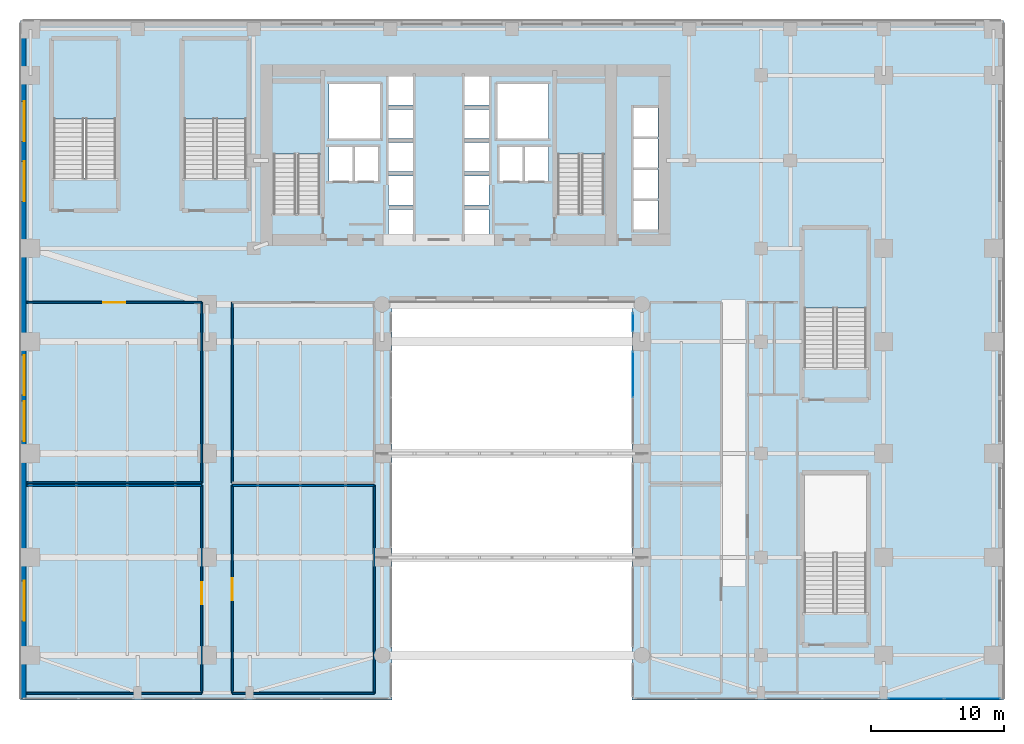
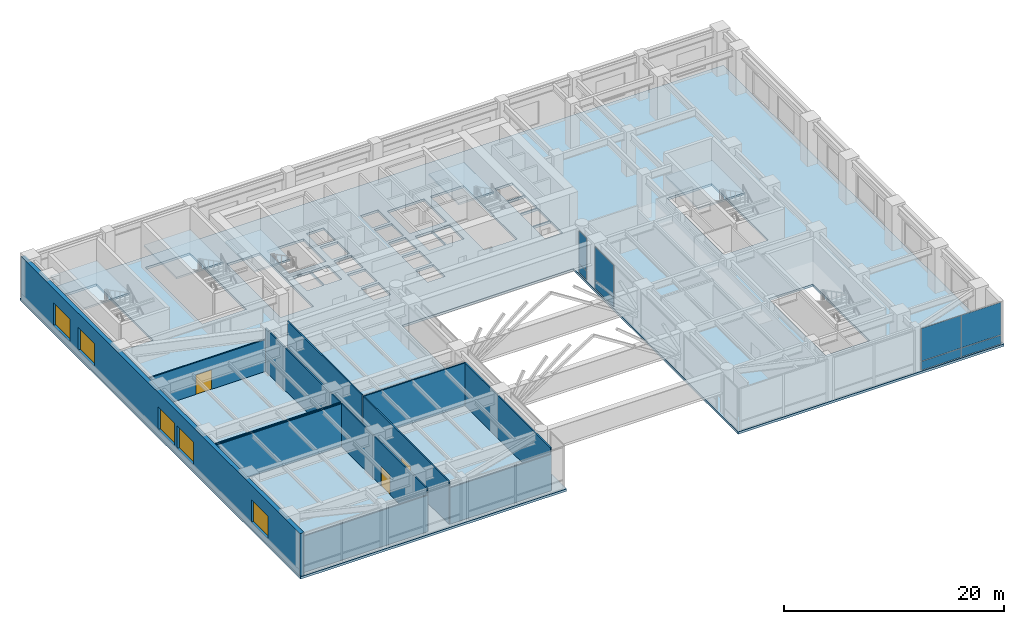
# One storey, part 27 of 39: 12 walls, 8 plates, 6 slabs, 5 windows, 3 doors, 8 openings, 8 elements without a shape of their own.
"""IFC4 building model written with IfcOpenShell, lengths in metres."""

from ifc_helpers import new_model, si_unit, direction, frame, frame_2d, origin, origin_2d, place, context, subcontext, project, spatial, polyline, rectangle, outline, extrude, source, transform, mapped, material, layer, layer_set, type_object, type_shapes, element, fill, aggregate, save


model = new_model("IFC4")

# Units and contexts
model_context = context("Model", 3, precision=1e-05, world=origin(), true_north=direction((0.0, 1.0)))
body_context = subcontext(model_context, "Body", "Model", "MODEL_VIEW")
ifc_project = project(units=[si_unit("LENGTHUNIT", "METRE"), si_unit("AREAUNIT", "SQUARE_METRE"), si_unit("VOLUMEUNIT", "CUBIC_METRE"), si_unit("PLANEANGLEUNIT", "RADIAN"), si_unit("MASSUNIT", "GRAM", prefix="KILO")], contexts=[model_context])

# Site, building, storey
site_placement = place(None, origin())
site = spatial("IfcSite", under=ifc_project, at=site_placement, CompositionType="ELEMENT")
building_placement = place(site_placement, origin())
building = spatial("IfcBuilding", under=site, at=building_placement, Name="Tolvann Quenvar Hotel", CompositionType="ELEMENT")
storey_placement = place(building_placement, frame((0.0, 0.0, 11.0)))
storey = spatial("IfcBuildingStorey", under=building, at=storey_placement, Name="L02", CompositionType="ELEMENT", Elevation=11.0)

# Stair, slab
ifc_material_1 = material(Name="Concrete N40 (40 MPa)", Category="concrete")
stair_type = type_object("IfcStairType", Name="STAIR", PredefinedType="HALF_TURN_STAIR", material=ifc_material_1)
stair_1_placement = place(storey_placement, origin())
stair_1 = element("IfcStair", 1, at=stair_1_placement, inside=storey, type_object=stair_type, Name="L02 ST-C1", PredefinedType="HALF_TURN_STAIR")
ifc_layer_1 = layer(ifc_material_1, 0.199951171875)
ifc_layer_set_1 = layer_set([ifc_layer_1], Name="Concrete N40 (40 MPa)")
slab_type_1 = type_object("IfcSlabType", Name="SLAB_LANDING", PredefinedType="LANDING", material=ifc_layer_set_1)
slab_1_placement = place(storey_placement, frame((0.0, 0.0, 2.300048828125)))
slab_1 = element("IfcSlab", 2, at=slab_1_placement, type_object=slab_type_1, Name="ST-C1 landing 1", PredefinedType="LANDING", context=body_context, shape_type="SweptSolid", body=[
    extrude(outline(polyline([(14.179931640625, 38.485107421875), (14.179931640625, 43.8798828125), (10.469970703125, 43.8798828125), (10.469970703125, 38.485107421875), (14.179931640625, 38.485107421875)])), origin(), (0.0, 0.0, 1.0), 0.199951171875),
])
aggregate(stair_1, [slab_1])

stair_2_placement = place(storey_placement, origin())
stair_2 = element("IfcStair", 3, at=stair_2_placement, inside=storey, type_object=stair_type, Name="L02 ST-C2", PredefinedType="HALF_TURN_STAIR")
slab_2_placement = place(storey_placement, frame((0.0, 0.0, 2.300048828125)))
slab_2 = element("IfcSlab", 4, at=slab_2_placement, type_object=slab_type_1, Name="ST-C2 landing 1", PredefinedType="LANDING", context=body_context, shape_type="SweptSolid", body=[
    extrude(outline(polyline([(35.530029296875, 38.485107421875), (35.530029296875, 43.8798828125), (31.820068359375, 43.8798828125), (31.820068359375, 38.485107421875), (35.530029296875, 38.485107421875)])), origin(), (0.0, 0.0, 1.0), 0.199951171875),
])
aggregate(stair_2, [slab_2])

stair_3_placement = place(storey_placement, origin())
stair_3 = element("IfcStair", 5, at=stair_3_placement, inside=storey, type_object=stair_type, Name="L02 ST-P1", PredefinedType="HALF_TURN_STAIR")
slab_3_placement = place(storey_placement, frame((0.0, 0.0, 2.300048828125)))
slab_3 = element("IfcSlab", 6, at=slab_3_placement, type_object=slab_type_1, Name="ST-P1 landing 1", PredefinedType="LANDING", context=body_context, shape_type="SweptSolid", body=[
    extrude(outline(polyline([(-1.1201171875, 41.135009765625), (-1.1201171875, 47.080078125), (-6.030029296875, 47.080078125), (-6.030029296875, 41.135009765625), (-1.1201171875, 41.135009765625)])), origin(), (0.0, 0.0, 1.0), 0.199951171875),
])
aggregate(stair_3, [slab_3])

stair_4_placement = place(storey_placement, origin())
stair_4 = element("IfcStair", 7, at=stair_4_placement, inside=storey, type_object=stair_type, Name="L02 ST-P2", PredefinedType="HALF_TURN_STAIR")
slab_4_placement = place(storey_placement, frame((0.0, 0.0, 2.300048828125)))
slab_4 = element("IfcSlab", 8, at=slab_4_placement, type_object=slab_type_1, Name="ST-P2 landing 1", PredefinedType="LANDING", context=body_context, shape_type="SweptSolid", body=[
    extrude(outline(polyline([(8.679931640625, 41.135009765625), (8.679931640625, 47.080078125), (3.77001953125, 47.080078125), (3.77001953125, 41.135009765625), (8.679931640625, 41.135009765625)])), origin(), (0.0, 0.0, 1.0), 0.199951171875),
])
aggregate(stair_4, [slab_4])

stair_5_placement = place(storey_placement, origin())
stair_5 = element("IfcStair", 9, at=stair_5_placement, inside=storey, type_object=stair_type, Name="L02 ST-P4", PredefinedType="HALF_TURN_STAIR")
slab_5_placement = place(storey_placement, frame((0.0, 0.0, 2.300048828125)))
slab_5 = element("IfcSlab", 10, at=slab_5_placement, type_object=slab_type_1, Name="ST-P4 landing 1", PredefinedType="LANDING", context=body_context, shape_type="SweptSolid", body=[
    extrude(outline(polyline([(55.22998046875, 26.93505859375), (55.22998046875, 32.8798828125), (50.320068359375, 32.8798828125), (50.320068359375, 26.93505859375), (55.22998046875, 26.93505859375)])), origin(), (0.0, 0.0, 1.0), 0.199951171875),
])
aggregate(stair_5, [slab_5])

# Slab
ifc_material_2 = material(Name="Concrete N50 (50 MPa)", Category="concrete")
ifc_layer_2 = layer(ifc_material_2, 0.260009765625)
ifc_layer_set_2 = layer_set([ifc_layer_2], Name="Concrete N50 (50 MPa)")
slab_type_2 = type_object("IfcSlabType", Name="SLAB_POD_250", PredefinedType="FLOOR", material=ifc_layer_set_2)
slab_6_placement = place(storey_placement, frame((0.0, 0.0, -0.260009765625)))
element("IfcSlab", 11, at=slab_6_placement, inside=storey, type_object=slab_type_2, Name="Level L02 Structural Floor Slab", PredefinedType="FLOOR", context=body_context, shape_type="SweptSolid", body=[
    extrude(outline(polyline([(-8.39990234375, -2.5), (19.5, -2.5), (19.5, 27.39990234375), (37.5, 27.39990234375), (37.5, -2.5), (65.39990234375, -2.5), (65.39990234375, 48.5), (-8.39990234375, 48.5), (-8.39990234375, -2.5)]), holes=[polyline([(50.449951171875, 4.074951171875), (50.449951171875, 14.39990234375), (55.10009765625, 14.39990234375), (55.10009765625, 4.074951171875), (50.449951171875, 4.074951171875)]), polyline([(50.449951171875, 32.800048828125), (55.10009765625, 32.800048828125), (55.10009765625, 22.47509765625), (50.449951171875, 22.47509765625), (50.449951171875, 32.800048828125)]), polyline([(39.469970703125, 41.949951171875), (39.469970703125, 39.77001953125), (37.6298828125, 39.77001953125), (37.6298828125, 41.949951171875), (39.469970703125, 41.949951171875)]), polyline([(39.469970703125, 39.6298828125), (39.469970703125, 37.449951171875), (37.6298828125, 37.449951171875), (37.6298828125, 39.6298828125), (39.469970703125, 39.6298828125)]), polyline([(37.6298828125, 37.31005859375), (39.469970703125, 37.31005859375), (39.469970703125, 35.1298828125), (37.6298828125, 35.1298828125), (37.6298828125, 37.31005859375)]), polyline([(39.469970703125, 34.989990234375), (39.469970703125, 32.81005859375), (37.6298828125, 32.81005859375), (37.6298828125, 34.989990234375), (39.469970703125, 34.989990234375)]), polyline([(31.949951171875, 43.800048828125), (35.39990234375, 43.800048828125), (35.39990234375, 34.02490234375), (31.949951171875, 34.02490234375), (31.949951171875, 43.800048828125)]), polyline([(31.25, 39.02001953125), (31.25, 36.47998046875), (29.449951171875, 36.47998046875), (29.449951171875, 39.02001953125), (31.25, 39.02001953125)]), polyline([(31.25, 43.75), (31.25, 39.64990234375), (27.39990234375, 39.64990234375), (27.39990234375, 43.75), (31.25, 43.75)]), polyline([(29.324951171875, 39.02001953125), (29.324951171875, 36.47998046875), (27.574951171875, 36.47998046875), (27.574951171875, 39.02001953125), (29.324951171875, 39.02001953125)]), polyline([(24.929931640625, 36.840087890625), (26.77001953125, 36.840087890625), (26.77001953125, 34.659912109375), (24.929931640625, 34.659912109375), (24.929931640625, 36.840087890625)]), polyline([(26.77001953125, 44.340087890625), (26.77001953125, 42.159912109375), (24.929931640625, 42.159912109375), (24.929931640625, 44.340087890625), (26.77001953125, 44.340087890625)]), polyline([(26.77001953125, 41.840087890625), (26.77001953125, 39.659912109375), (24.929931640625, 39.659912109375), (24.929931640625, 41.840087890625), (26.77001953125, 41.840087890625)]), polyline([(24.929931640625, 39.340087890625), (26.77001953125, 39.340087890625), (26.77001953125, 37.159912109375), (24.929931640625, 37.159912109375), (24.929931640625, 39.340087890625)]), polyline([(26.77001953125, 34.340087890625), (26.77001953125, 32.159912109375), (24.929931640625, 32.159912109375), (24.929931640625, 34.340087890625), (26.77001953125, 34.340087890625)]), polyline([(21.070068359375, 44.340087890625), (21.070068359375, 42.159912109375), (19.22998046875, 42.159912109375), (19.22998046875, 44.340087890625), (21.070068359375, 44.340087890625)]), polyline([(21.070068359375, 41.840087890625), (21.070068359375, 39.659912109375), (19.22998046875, 39.659912109375), (19.22998046875, 41.840087890625), (21.070068359375, 41.840087890625)]), polyline([(19.22998046875, 39.340087890625), (21.070068359375, 39.340087890625), (21.070068359375, 37.159912109375), (19.22998046875, 37.159912109375), (19.22998046875, 39.340087890625)]), polyline([(21.070068359375, 36.840087890625), (21.070068359375, 34.659912109375), (19.22998046875, 34.659912109375), (19.22998046875, 36.840087890625), (21.070068359375, 36.840087890625)]), polyline([(19.22998046875, 34.340087890625), (21.070068359375, 34.340087890625), (21.070068359375, 32.159912109375), (19.22998046875, 32.159912109375), (19.22998046875, 34.340087890625)]), polyline([(18.60009765625, 43.75), (18.60009765625, 39.64990234375), (14.75, 39.64990234375), (14.75, 43.75), (18.60009765625, 43.75)]), polyline([(18.425048828125, 39.02001953125), (18.425048828125, 36.47998046875), (16.675048828125, 36.47998046875), (16.675048828125, 39.02001953125), (18.425048828125, 39.02001953125)]), polyline([(16.550048828125, 39.02001953125), (16.550048828125, 36.47998046875), (14.75, 36.47998046875), (14.75, 39.02001953125), (16.550048828125, 39.02001953125)]), polyline([(10.60009765625, 43.800048828125), (14.050048828125, 43.800048828125), (14.050048828125, 34.02490234375), (10.60009765625, 34.02490234375), (10.60009765625, 43.800048828125)]), polyline([(3.89990234375, 47.0), (8.550048828125, 47.0), (8.550048828125, 36.675048828125), (3.89990234375, 36.675048828125), (3.89990234375, 47.0)]), polyline([(-5.89990234375, 47.0), (-1.25, 47.0), (-1.25, 36.675048828125), (-5.89990234375, 36.675048828125), (-5.89990234375, 47.0)])]), origin(), (0.0, 0.0, 1.0), 0.260009765625),
])

# Curtain wall, plate
ifc_material_3 = material(Name="Thermally broken anodised architectural aluminium 6063-T6 and laminated low-E glass", Category="aluminium")
ifc_layer_3 = layer(ifc_material_3, 0.179931640625)
ifc_layer_set_3 = layer_set([ifc_layer_3], Name="Thermally broken anodised architectural aluminium 6063-T6 and laminated low-E glass")
curtain_wall_type_1 = type_object("IfcCurtainWallType", Name="CW_SYS_ARCH_01", PredefinedType="USERDEFINED", material=ifc_layer_set_3)
curtain_wall_1_placement = place(storey_placement, origin())
curtain_wall_1 = element("IfcCurtainWall", 12, at=curtain_wall_1_placement, inside=storey, type_object=curtain_wall_type_1, Name="Curtain Wall CW-ARCH-01 (CWR-L02-E03-S2)", ObjectType="UNITISED CURTAIN WALL", PredefinedType="USERDEFINED")
ifc_material_4 = material(Name="Low-iron laminated double glazing with solar-control coating", Category="glass")
ifc_layer_4 = layer(ifc_material_4, 0.028076171875)
ifc_layer_set_4 = layer_set([ifc_layer_4], Name="Low-iron laminated double glazing with solar-control coating")
plate_type = type_object("IfcPlateType", Name="CW_PAN_VISION_28", PredefinedType="CURTAIN_PANEL", material=ifc_layer_set_4)
shared_shape_1 = source(origin(), body_context, "Body", "SweptSolid", [
    extrude(rectangle(XDim=3.39111328125, YDim=0.028076171875, at=origin_2d()), origin(), (0.0, 0.0, 1.0), 0.9599609375),
])
plate_1_placement = place(storey_placement, frame((37.590087890625, 21.930419921875, 0.06005859375), z_axis=(0.0, 0.0, 1.0), x_axis=(0.0, -1.0, 0.0)))
plate_1 = element("IfcPlate", 13, at=plate_1_placement, type_object=plate_type, Name="CW-ARCH-01 panel 1.1", PredefinedType="CURTAIN_PANEL", context=body_context, shape_type="MappedRepresentation", body=[
    mapped(shared_shape_1, transform((0.0, 0.0, 0.0), x_axis=(1.0, 0.0, 0.0), y_axis=(0.0, 1.0, 0.0), z_axis=(0.0, 0.0, 1.0), scale=1.0)),
])

curtain_wall_2_placement = place(storey_placement, origin())
curtain_wall_2 = element("IfcCurtainWall", 14, at=curtain_wall_2_placement, inside=storey, type_object=curtain_wall_type_1, Name="Curtain Wall CW-ARCH-01 (CWR-L02-E03-S1)", ObjectType="UNITISED CURTAIN WALL", PredefinedType="USERDEFINED")
shared_shape_2 = source(origin(), body_context, "Body", "SweptSolid", [
    extrude(rectangle(XDim=1.35205078125, YDim=0.028076171875, at=origin_2d()), origin(), (0.0, 0.0, 1.0), 0.9599609375),
])
plate_2_placement = place(storey_placement, frame((37.590087890625, 25.85009765625, 0.06005859375), z_axis=(0.0, 0.0, 1.0), x_axis=(0.0, -1.0, 0.0)))
plate_2 = element("IfcPlate", 15, at=plate_2_placement, type_object=plate_type, Name="CW-ARCH-01 panel 1.1", PredefinedType="CURTAIN_PANEL", context=body_context, shape_type="MappedRepresentation", body=[
    mapped(shared_shape_2, transform((0.0, 0.0, 0.0), x_axis=(1.0, 0.0, 0.0), y_axis=(0.0, 1.0, 0.0), z_axis=(0.0, 0.0, 1.0), scale=1.0)),
])

# Plate
shared_shape_3 = source(origin(), body_context, "Body", "SweptSolid", [
    extrude(rectangle(XDim=3.39111328125, YDim=0.028076171875, at=origin_2d()), origin(), (0.0, 0.0, 1.0), 3.60009765625),
])
plate_3_placement = place(storey_placement, frame((37.590087890625, 21.930419921875, 1.079833984375), z_axis=(0.0, 0.0, 1.0), x_axis=(0.0, -1.0, 0.0)))
plate_3 = element("IfcPlate", 16, at=plate_3_placement, type_object=plate_type, Name="CW-ARCH-01 panel 1.2", PredefinedType="CURTAIN_PANEL", context=body_context, shape_type="MappedRepresentation", body=[
    mapped(shared_shape_3, transform((0.0, 0.0, 0.0), x_axis=(1.0, 0.0, 0.0), y_axis=(0.0, 1.0, 0.0), z_axis=(0.0, 0.0, 1.0), scale=1.0)),
])

aggregate(curtain_wall_1, [plate_1, plate_3])

shared_shape_4 = source(origin(), body_context, "Body", "SweptSolid", [
    extrude(rectangle(XDim=1.35205078125, YDim=0.028076171875, at=origin_2d()), origin(), (0.0, 0.0, 1.0), 3.60009765625),
])
plate_4_placement = place(storey_placement, frame((37.590087890625, 25.85009765625, 1.079833984375), z_axis=(0.0, 0.0, 1.0), x_axis=(0.0, -1.0, 0.0)))
plate_4 = element("IfcPlate", 17, at=plate_4_placement, type_object=plate_type, Name="CW-ARCH-01 panel 1.2", PredefinedType="CURTAIN_PANEL", context=body_context, shape_type="MappedRepresentation", body=[
    mapped(shared_shape_4, transform((0.0, 0.0, 0.0), x_axis=(1.0, 0.0, 0.0), y_axis=(0.0, 1.0, 0.0), z_axis=(0.0, 0.0, 1.0), scale=1.0)),
])

aggregate(curtain_wall_2, [plate_2, plate_4])

# Curtain wall, plates
ifc_layer_5 = layer(ifc_material_3, 0.179931640625)
ifc_layer_set_5 = layer_set([ifc_layer_5], Name="Thermally broken anodised architectural aluminium 6063-T6 and laminated low-E glass")
curtain_wall_type_2 = type_object("IfcCurtainWallType", Name="CW_SYS_BALL_02", PredefinedType="USERDEFINED", material=ifc_layer_set_5)
curtain_wall_3_placement = place(storey_placement, origin())
curtain_wall_3 = element("IfcCurtainWall", 18, at=curtain_wall_3_placement, inside=storey, type_object=curtain_wall_type_2, Name="Curtain Wall CW-BALL-02 (CWR-L02-E04-S3)", ObjectType="UNITISED CURTAIN WALL", PredefinedType="USERDEFINED")
shared_shape_5 = source(origin(), body_context, "Body", "SweptSolid", [
    extrude(rectangle(XDim=4.137939453125, YDim=0.028076171875, at=origin_2d()), origin(), (0.0, 0.0, 1.0), 0.9599609375),
])
plate_5_placement = place(storey_placement, frame((58.843017578125, -2.409912109375, 0.06005859375), z_axis=(0.0, 0.0, 1.0), x_axis=(1.0, 0.0, 0.0)))
plate_5 = element("IfcPlate", 19, at=plate_5_placement, type_object=plate_type, Name="CW-BALL-02 panel 1.1", PredefinedType="CURTAIN_PANEL", context=body_context, shape_type="MappedRepresentation", body=[
    mapped(shared_shape_5, transform((0.0, 0.0, 0.0), x_axis=(1.0, 0.0, 0.0), y_axis=(0.0, 1.0, 0.0), z_axis=(0.0, 0.0, 1.0), scale=1.0)),
])
plate_6_placement = place(storey_placement, frame((63.051025390625, -2.409912109375, 0.06005859375), z_axis=(0.0, 0.0, 1.0), x_axis=(1.0, 0.0, 0.0)))
plate_6 = element("IfcPlate", 20, at=plate_6_placement, type_object=plate_type, Name="CW-BALL-02 panel 2.1", PredefinedType="CURTAIN_PANEL", context=body_context, shape_type="MappedRepresentation", body=[
    mapped(shared_shape_5, transform((0.0, 0.0, 0.0), x_axis=(1.0, 0.0, 0.0), y_axis=(0.0, 1.0, 0.0), z_axis=(0.0, 0.0, 1.0), scale=1.0)),
])
shared_shape_6 = source(origin(), body_context, "Body", "SweptSolid", [
    extrude(rectangle(XDim=4.137939453125, YDim=0.028076171875, at=origin_2d()), origin(), (0.0, 0.0, 1.0), 3.60009765625),
])
type_shapes(plate_type, [shared_shape_1, shared_shape_2, shared_shape_3, shared_shape_4, shared_shape_5, shared_shape_6])
plate_7_placement = place(storey_placement, frame((58.843017578125, -2.409912109375, 1.079833984375), z_axis=(0.0, 0.0, 1.0), x_axis=(1.0, 0.0, 0.0)))
plate_7 = element("IfcPlate", 21, at=plate_7_placement, type_object=plate_type, Name="CW-BALL-02 panel 1.2", PredefinedType="CURTAIN_PANEL", context=body_context, shape_type="MappedRepresentation", body=[
    mapped(shared_shape_6, transform((0.0, 0.0, 0.0), x_axis=(1.0, 0.0, 0.0), y_axis=(0.0, 1.0, 0.0), z_axis=(0.0, 0.0, 1.0), scale=1.0)),
])
plate_8_placement = place(storey_placement, frame((63.051025390625, -2.409912109375, 1.079833984375), z_axis=(0.0, 0.0, 1.0), x_axis=(1.0, 0.0, 0.0)))
plate_8 = element("IfcPlate", 22, at=plate_8_placement, type_object=plate_type, Name="CW-BALL-02 panel 2.2", PredefinedType="CURTAIN_PANEL", context=body_context, shape_type="MappedRepresentation", body=[
    mapped(shared_shape_6, transform((0.0, 0.0, 0.0), x_axis=(1.0, 0.0, 0.0), y_axis=(0.0, 1.0, 0.0), z_axis=(0.0, 0.0, 1.0), scale=1.0)),
])
aggregate(curtain_wall_3, [plate_5, plate_7, plate_6, plate_8])

# Wall, openings, windows
ifc_material_5 = material(Name="Kiln-fired red and buff architectural clay brickwork and terracotta masonry", Category="masonry")
ifc_layer_6 = layer(ifc_material_5, 0.419921875)
ifc_layer_set_6 = layer_set([ifc_layer_6], Name="Kiln-fired red and buff architectural clay brickwork and terracotta masonry")
wall_type_1 = type_object("IfcWallType", Name="WALL_EXT_POD_420", PredefinedType="SOLIDWALL", material=ifc_layer_set_6)
wall_1_placement = place(storey_placement, frame((-8.18994140625, 48.2900390625, 0.0), z_axis=(0.0, 0.0, 1.0), x_axis=(0.0, -1.0, 0.0)))
wall_1 = element("IfcWall", 23, at=wall_1_placement, inside=storey, type_object=wall_type_1, Name="Exterior Chicago Brick Wall L02-E07", PredefinedType="SOLIDWALL", context=body_context, shape_type="SweptSolid", body=[
    extrude(rectangle(XDim=50.699951171875, YDim=0.419921875, at=frame_2d((25.35009765625, 0.0))), origin(), (0.0, 0.0, 1.0), 4.739990234375),
])
opening_1_placement = place(wall_1_placement, frame((5.85009765625, 0.0, 0.64990234375)))
opening_1 = element("IfcOpeningElement", 24, at=opening_1_placement, cuts=wall_1, Name="Opening W-05", PredefinedType="OPENING", context=body_context, shape_type="SweptSolid", body=[
    extrude(rectangle(XDim=3.0, YDim=2.5, at=frame_2d((1.5, 1.25))), frame((0.0, 0.219970703125, 0.0), z_axis=(0.0, -1.0, 0.0), x_axis=(1.0, 0.0, 0.0)), (0.0, 0.0, 1.0), 0.43994140625),
])
opening_2_placement = place(wall_1_placement, frame((10.35009765625, 0.0, 0.64990234375)))
opening_2 = element("IfcOpeningElement", 25, at=opening_2_placement, cuts=wall_1, Name="Opening W-05", PredefinedType="OPENING", context=body_context, shape_type="SweptSolid", body=[
    extrude(rectangle(XDim=3.0, YDim=2.5, at=frame_2d((1.5, 1.25))), frame((0.0, 0.219970703125, 0.0), z_axis=(0.0, -1.0, 0.0), x_axis=(1.0, 0.0, 0.0)), (0.0, 0.0, 1.0), 0.43994140625),
])
opening_3_placement = place(wall_1_placement, frame((24.89990234375, 0.0, 0.64990234375)))
opening_3 = element("IfcOpeningElement", 26, at=opening_3_placement, cuts=wall_1, Name="Opening W-05", PredefinedType="OPENING", context=body_context, shape_type="SweptSolid", body=[
    extrude(rectangle(XDim=3.0, YDim=2.5, at=frame_2d((1.5, 1.25))), frame((0.0, 0.219970703125, 0.0), z_axis=(0.0, -1.0, 0.0), x_axis=(1.0, 0.0, 0.0)), (0.0, 0.0, 1.0), 0.43994140625),
])
opening_4_placement = place(wall_1_placement, frame((28.35009765625, 0.0, 0.64990234375)))
opening_4 = element("IfcOpeningElement", 27, at=opening_4_placement, cuts=wall_1, Name="Opening W-05", PredefinedType="OPENING", context=body_context, shape_type="SweptSolid", body=[
    extrude(rectangle(XDim=3.0, YDim=2.5, at=frame_2d((1.5, 1.25))), frame((0.0, 0.219970703125, 0.0), z_axis=(0.0, -1.0, 0.0), x_axis=(1.0, 0.0, 0.0)), (0.0, 0.0, 1.0), 0.43994140625),
])
opening_5_placement = place(wall_1_placement, frame((41.85009765625, 0.0, 0.64990234375)))
opening_5 = element("IfcOpeningElement", 28, at=opening_5_placement, cuts=wall_1, Name="Opening W-05", PredefinedType="OPENING", context=body_context, shape_type="SweptSolid", body=[
    extrude(rectangle(XDim=3.0, YDim=2.5, at=frame_2d((1.5, 1.25))), frame((0.0, 0.219970703125, 0.0), z_axis=(0.0, -1.0, 0.0), x_axis=(1.0, 0.0, 0.0)), (0.0, 0.0, 1.0), 0.43994140625),
])
ifc_material_6 = material(Name="Thermally broken bronze-anodised aluminium frame with double low-E glazing", Category="aluminium")
window_type = type_object("IfcWindowType", Name="WIN_POD_3000x2600", PartitioningType="TRIPLE_PANEL_HORIZONTAL", PredefinedType="WINDOW", material=ifc_material_6)
shared_shape_7 = source(origin(), body_context, "Body", "SweptSolid", [
    extrude(rectangle(XDim=3.0, YDim=2.5, at=frame_2d((1.5, 1.25))), frame((0.0, 0.090087890625, 0.0), z_axis=(0.0, -1.0, 0.0), x_axis=(1.0, 0.0, 0.0)), (0.0, 0.0, 1.0), 0.06005859375),
])
type_shapes(window_type, [shared_shape_7])
window_1_placement = place(opening_1_placement, origin())
window_1 = element("IfcWindow", 29, at=window_1_placement, inside=storey, type_object=window_type, Name="Chicago Window W-05 (EW-L02-E07-W01)", OverallHeight=2.5, OverallWidth=3.0, PartitioningType="TRIPLE_PANEL_HORIZONTAL", PredefinedType="WINDOW", context=body_context, shape_type="MappedRepresentation", body=[
    mapped(shared_shape_7, transform((0.0, 0.0, 0.0), x_axis=(1.0, 0.0, 0.0), y_axis=(0.0, 1.0, 0.0), z_axis=(0.0, 0.0, 1.0), scale=1.0)),
])
fill(opening_1, window_1)
window_2_placement = place(opening_2_placement, origin())
window_2 = element("IfcWindow", 30, at=window_2_placement, inside=storey, type_object=window_type, Name="Chicago Window W-05 (EW-L02-E07-W02)", OverallHeight=2.5, OverallWidth=3.0, PartitioningType="TRIPLE_PANEL_HORIZONTAL", PredefinedType="WINDOW", context=body_context, shape_type="MappedRepresentation", body=[
    mapped(shared_shape_7, transform((0.0, 0.0, 0.0), x_axis=(1.0, 0.0, 0.0), y_axis=(0.0, 1.0, 0.0), z_axis=(0.0, 0.0, 1.0), scale=1.0)),
])
fill(opening_2, window_2)
window_3_placement = place(opening_3_placement, origin())
window_3 = element("IfcWindow", 31, at=window_3_placement, inside=storey, type_object=window_type, Name="Chicago Window W-05 (EW-L02-E07-W03)", OverallHeight=2.5, OverallWidth=3.0, PartitioningType="TRIPLE_PANEL_HORIZONTAL", PredefinedType="WINDOW", context=body_context, shape_type="MappedRepresentation", body=[
    mapped(shared_shape_7, transform((0.0, 0.0, 0.0), x_axis=(1.0, 0.0, 0.0), y_axis=(0.0, 1.0, 0.0), z_axis=(0.0, 0.0, 1.0), scale=1.0)),
])
fill(opening_3, window_3)
window_4_placement = place(opening_4_placement, origin())
window_4 = element("IfcWindow", 32, at=window_4_placement, inside=storey, type_object=window_type, Name="Chicago Window W-05 (EW-L02-E07-W04)", OverallHeight=2.5, OverallWidth=3.0, PartitioningType="TRIPLE_PANEL_HORIZONTAL", PredefinedType="WINDOW", context=body_context, shape_type="MappedRepresentation", body=[
    mapped(shared_shape_7, transform((0.0, 0.0, 0.0), x_axis=(1.0, 0.0, 0.0), y_axis=(0.0, 1.0, 0.0), z_axis=(0.0, 0.0, 1.0), scale=1.0)),
])
fill(opening_4, window_4)
window_5_placement = place(opening_5_placement, origin())
window_5 = element("IfcWindow", 33, at=window_5_placement, inside=storey, type_object=window_type, Name="Chicago Window W-05 (EW-L02-E07-W05)", OverallHeight=2.5, OverallWidth=3.0, PartitioningType="TRIPLE_PANEL_HORIZONTAL", PredefinedType="WINDOW", context=body_context, shape_type="MappedRepresentation", body=[
    mapped(shared_shape_7, transform((0.0, 0.0, 0.0), x_axis=(1.0, 0.0, 0.0), y_axis=(0.0, 1.0, 0.0), z_axis=(0.0, 0.0, 1.0), scale=1.0)),
])
fill(opening_5, window_5)

# Walls
ifc_material_7 = material(Name="Acoustic operable timber-clad banquet partition", Category="wood")
ifc_layer_7 = layer(ifc_material_7, 0.1298828125)
ifc_layer_set_7 = layer_set([ifc_layer_7], Name="Acoustic operable timber-clad banquet partition")
wall_type_2 = type_object("IfcWallType", Name="WALL_PART_OPER_130", PredefinedType="MOVABLE", material=ifc_layer_set_7)
wall_2_placement = place(storey_placement, frame((-7.925048828125, -2.0, 0.0), z_axis=(0.0, 0.0, 1.0), x_axis=(1.0, 0.0, 0.0)))
element("IfcWall", 34, at=wall_2_placement, inside=storey, type_object=wall_type_2, Name="Interior Partition PT-SPC-L02-CF1-S", PredefinedType="MOVABLE", context=body_context, shape_type="SweptSolid", body=[
    extrude(rectangle(XDim=13.125, YDim=0.1298828125, at=frame_2d((6.5625, 0.0))), origin(), (0.0, 0.0, 1.0), 4.030029296875),
])
wall_3_placement = place(storey_placement, frame((-7.925048828125, 13.60009765625, 0.0), z_axis=(0.0, 0.0, 1.0), x_axis=(1.0, 0.0, 0.0)))
element("IfcWall", 35, at=wall_3_placement, inside=storey, type_object=wall_type_2, Name="Interior Partition PT-SPC-L02-CF1-N", PredefinedType="MOVABLE", context=body_context, shape_type="SweptSolid", body=[
    extrude(rectangle(XDim=13.125, YDim=0.1298828125, at=frame_2d((6.5625, 0.0))), origin(), (0.0, 0.0, 1.0), 4.739990234375),
])

# Wall, opening, door
wall_4_placement = place(storey_placement, frame((5.199951171875, -2.0, 0.0), z_axis=(0.0, 0.0, 1.0), x_axis=(0.0, 1.0, 0.0)))
wall_4 = element("IfcWall", 36, at=wall_4_placement, inside=storey, type_object=wall_type_2, Name="Interior Partition PT-SPC-L02-CF1-E", PredefinedType="MOVABLE", context=body_context, shape_type="SweptSolid", body=[
    extrude(rectangle(XDim=15.60009765625, YDim=0.1298828125, at=frame_2d((7.800048828125, 0.0))), origin(), (0.0, 0.0, 1.0), 4.739990234375),
])
opening_6_placement = place(wall_4_placement, frame((6.675048828125, 0.0, 0.0)))
opening_6 = element("IfcOpeningElement", 37, at=opening_6_placement, cuts=wall_4, Name="Opening AD-02", PredefinedType="OPENING", context=body_context, shape_type="SweptSolid", body=[
    extrude(rectangle(XDim=1.64990234375, YDim=2.14990234375, at=frame_2d((0.824951171875, 1.074951171875))), frame((0.0, 0.074951171875, 0.0), z_axis=(0.0, -1.0, 0.0), x_axis=(1.0, 0.0, 0.0)), (0.0, 0.0, 1.0), 0.14990234375),
])
ifc_material_8 = material(Name="Solid-core American oak acoustic fire door leaf in steel frame", Category="steel")
door_type = type_object("IfcDoorType", Name="DOOR_CONF_1650", OperationType="NOTDEFINED", PredefinedType="DOOR", material=ifc_material_8)
shared_shape_8 = source(origin(), body_context, "Body", "SweptSolid", [
    extrude(rectangle(XDim=1.64990234375, YDim=2.14990234375, at=frame_2d((0.824951171875, 1.074951171875))), frame((0.0, 0.02490234375, 0.0), z_axis=(0.0, -1.0, 0.0), x_axis=(1.0, 0.0, 0.0)), (0.0, 0.0, 1.0), 0.050048828125),
])
type_shapes(door_type, [shared_shape_8])
door_1_placement = place(opening_6_placement, origin())
door_1 = element("IfcDoor", 38, at=door_1_placement, inside=storey, type_object=door_type, Name="Interior Door DOOR-SPC-L02-CF1", OperationType="DOUBLE_DOOR_SINGLE_SWING", OverallHeight=2.14990234375, OverallWidth=1.64990234375, PredefinedType="DOOR", context=body_context, shape_type="MappedRepresentation", body=[
    mapped(shared_shape_8, transform((0.0, 0.0, 0.0), x_axis=(1.0, 0.0, 0.0), y_axis=(0.0, 1.0, 0.0), z_axis=(0.0, 0.0, 1.0), scale=1.0)),
])
fill(opening_6, door_1)

# Walls
wall_5_placement = place(storey_placement, frame((7.5, -2.0, 0.0), z_axis=(0.0, 0.0, 1.0), x_axis=(1.0, 0.0, 0.0)))
element("IfcWall", 39, at=wall_5_placement, inside=storey, type_object=wall_type_2, Name="Interior Partition PT-SPC-L02-CF2-S", PredefinedType="MOVABLE", context=body_context, shape_type="SweptSolid", body=[
    extrude(rectangle(XDim=10.64990234375, YDim=0.1298828125, at=frame_2d((5.324951171875, 0.0))), origin(), (0.0, 0.0, 1.0), 4.030029296875),
])
wall_6_placement = place(storey_placement, frame((7.5, 13.60009765625, 0.0), z_axis=(0.0, 0.0, 1.0), x_axis=(1.0, 0.0, 0.0)))
element("IfcWall", 40, at=wall_6_placement, inside=storey, type_object=wall_type_2, Name="Interior Partition PT-SPC-L02-CF2-N", PredefinedType="MOVABLE", context=body_context, shape_type="SweptSolid", body=[
    extrude(rectangle(XDim=10.64990234375, YDim=0.1298828125, at=frame_2d((5.324951171875, 0.0))), origin(), (0.0, 0.0, 1.0), 4.739990234375),
])

# Wall, opening, door
wall_7_placement = place(storey_placement, frame((7.5, -2.0, 0.0), z_axis=(0.0, 0.0, 1.0), x_axis=(0.0, 1.0, 0.0)))
wall_7 = element("IfcWall", 41, at=wall_7_placement, inside=storey, type_object=wall_type_2, Name="Interior Partition PT-SPC-L02-CF2-W", PredefinedType="MOVABLE", context=body_context, shape_type="SweptSolid", body=[
    extrude(rectangle(XDim=15.60009765625, YDim=0.1298828125, at=frame_2d((7.800048828125, 0.0))), origin(), (0.0, 0.0, 1.0), 4.739990234375),
])
opening_7_placement = place(wall_7_placement, frame((6.97509765625, 0.0, 0.0)))
opening_7 = element("IfcOpeningElement", 42, at=opening_7_placement, cuts=wall_7, Name="Opening AD-02", PredefinedType="OPENING", context=body_context, shape_type="SweptSolid", body=[
    extrude(rectangle(XDim=1.64990234375, YDim=2.14990234375, at=frame_2d((0.824951171875, 1.074951171875))), frame((0.0, 0.074951171875, 0.0), z_axis=(0.0, -1.0, 0.0), x_axis=(1.0, 0.0, 0.0)), (0.0, 0.0, 1.0), 0.14990234375),
])
door_2_placement = place(opening_7_placement, origin())
door_2 = element("IfcDoor", 43, at=door_2_placement, inside=storey, type_object=door_type, Name="Interior Door DOOR-SPC-L02-CF2", OperationType="DOUBLE_DOOR_SINGLE_SWING", OverallHeight=2.14990234375, OverallWidth=1.64990234375, PredefinedType="DOOR", context=body_context, shape_type="MappedRepresentation", body=[
    mapped(shared_shape_8, transform((0.0, 0.0, 0.0), x_axis=(1.0, 0.0, 0.0), y_axis=(0.0, 1.0, 0.0), z_axis=(0.0, 0.0, 1.0), scale=1.0)),
])
fill(opening_7, door_2)

# Walls
wall_8_placement = place(storey_placement, frame((18.14990234375, -2.0, 0.0), z_axis=(0.0, 0.0, 1.0), x_axis=(0.0, 1.0, 0.0)))
element("IfcWall", 44, at=wall_8_placement, inside=storey, type_object=wall_type_2, Name="Interior Partition PT-SPC-L02-CF2-E", PredefinedType="MOVABLE", context=body_context, shape_type="SweptSolid", body=[
    extrude(rectangle(XDim=15.60009765625, YDim=0.1298828125, at=frame_2d((7.800048828125, 0.0))), origin(), (0.0, 0.0, 1.0), 4.739990234375),
])
wall_9_placement = place(storey_placement, frame((-7.925048828125, 13.800048828125, 0.0), z_axis=(0.0, 0.0, 1.0), x_axis=(1.0, 0.0, 0.0)))
element("IfcWall", 45, at=wall_9_placement, inside=storey, type_object=wall_type_2, Name="Interior Partition PT-SPC-L02-CF3-S", PredefinedType="MOVABLE", context=body_context, shape_type="SweptSolid", body=[
    extrude(rectangle(XDim=13.125, YDim=0.1298828125, at=frame_2d((6.5625, 0.0))), origin(), (0.0, 0.0, 1.0), 4.739990234375),
])

# Wall, opening, door
wall_10_placement = place(storey_placement, frame((-7.925048828125, 27.35009765625, 0.0), z_axis=(0.0, 0.0, 1.0), x_axis=(1.0, 0.0, 0.0)))
wall_10 = element("IfcWall", 46, at=wall_10_placement, inside=storey, type_object=wall_type_2, Name="Interior Partition PT-SPC-L02-CF3-N", PredefinedType="MOVABLE", context=body_context, shape_type="SweptSolid", body=[
    extrude(rectangle(XDim=13.125, YDim=0.1298828125, at=frame_2d((6.5625, 0.0))), origin(), (0.0, 0.0, 1.0), 3.530029296875),
])
opening_8_placement = place(wall_10_placement, frame((5.737548828125, 0.0, 0.0)))
opening_8 = element("IfcOpeningElement", 47, at=opening_8_placement, cuts=wall_10, Name="Opening AD-02", PredefinedType="OPENING", context=body_context, shape_type="SweptSolid", body=[
    extrude(rectangle(XDim=1.64990234375, YDim=2.14990234375, at=frame_2d((0.824951171875, 1.074951171875))), frame((0.0, 0.074951171875, 0.0), z_axis=(0.0, -1.0, 0.0), x_axis=(1.0, 0.0, 0.0)), (0.0, 0.0, 1.0), 0.14990234375),
])
door_3_placement = place(opening_8_placement, origin())
door_3 = element("IfcDoor", 48, at=door_3_placement, inside=storey, type_object=door_type, Name="Interior Door DOOR-SPC-L02-CF3", OperationType="DOUBLE_DOOR_SINGLE_SWING", OverallHeight=2.14990234375, OverallWidth=1.64990234375, PredefinedType="DOOR", context=body_context, shape_type="MappedRepresentation", body=[
    mapped(shared_shape_8, transform((0.0, 0.0, 0.0), x_axis=(1.0, 0.0, 0.0), y_axis=(0.0, 1.0, 0.0), z_axis=(0.0, 0.0, 1.0), scale=1.0)),
])
fill(opening_8, door_3)

# Walls
for number, where, z_axis, x_axis, name in (
    (49, (5.199951171875, 13.800048828125, 0.0), (0.0, 0.0, 1.0), (0.0, 1.0, 0.0), "Interior Partition PT-SPC-L02-CF3-E"),
    (50, (7.5, 13.800048828125, 0.0), (0.0, 0.0, 1.0), (0.0, 1.0, 0.0), "Interior Partition PT-SPC-L02-CF4-W"),
):
    element("IfcWall", number, at=place(storey_placement, frame(where, z_axis=z_axis, x_axis=x_axis)), inside=storey, type_object=wall_type_2, Name=name, PredefinedType="MOVABLE", context=body_context, shape_type="SweptSolid", body=[
        extrude(rectangle(XDim=13.550048828125, YDim=0.1298828125, at=frame_2d((6.77490234375, 0.0))), origin(), (0.0, 0.0, 1.0), 4.739990234375),
    ])

save(model, "model.ifc")
